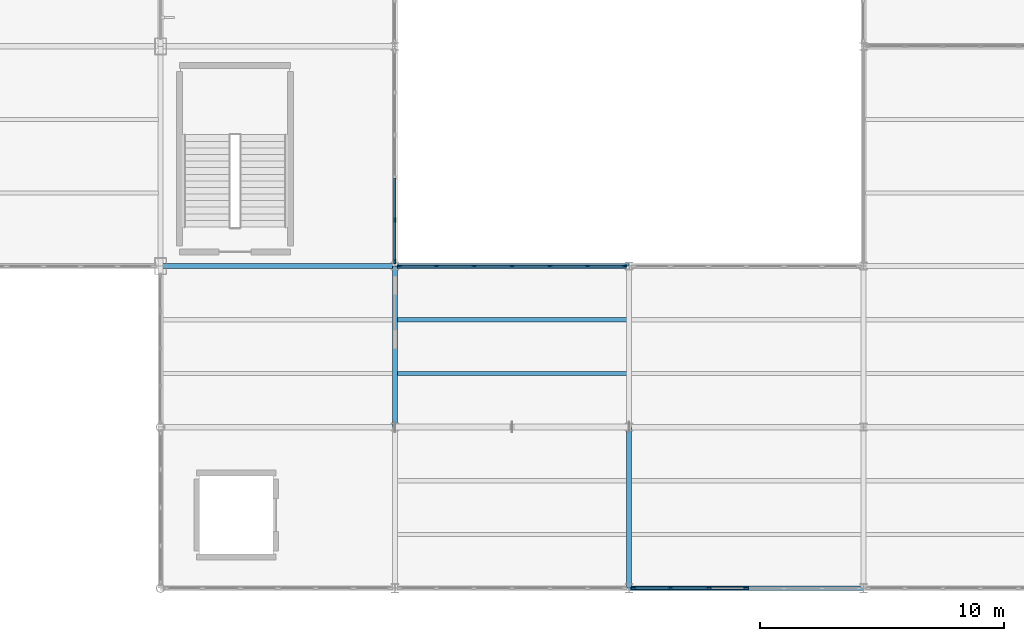
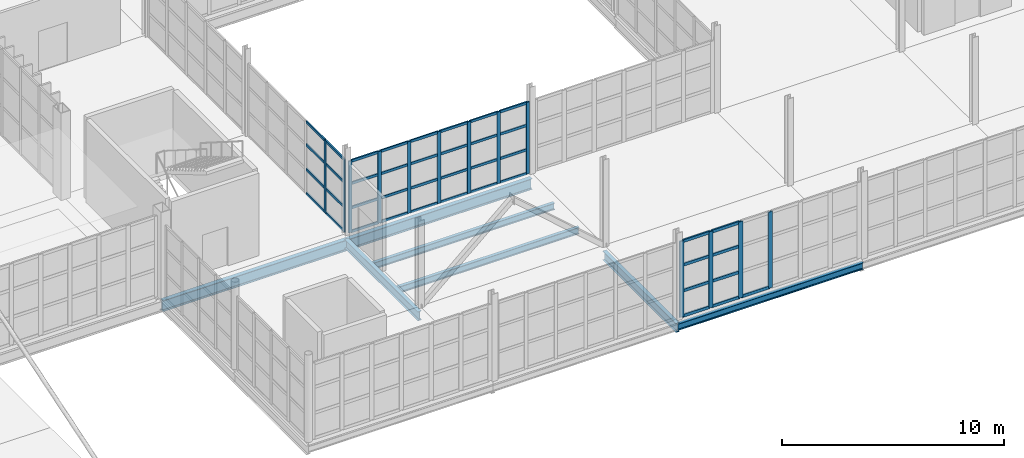
# One storey, part 59 of 120: 54 members, 7 beams, 3 elements without a shape of their own.
"""IFC4 building model written with IfcOpenShell, lengths in metres."""

from ifc_helpers import new_model, si_unit, direction, frame, origin, origin_2d, place, context, subcontext, project, spatial, rectangle, i_section, extrude, material, layer, layer_set, material_profile, profile_set, type_object, element, aggregate, save


model = new_model("IFC4")

# Units and contexts
model_context = context("Model", 3, precision=1e-05, world=origin(), true_north=direction((0.0, 1.0)))
body_context = subcontext(model_context, "Body", "Model", "MODEL_VIEW")
ifc_project = project(units=[si_unit("LENGTHUNIT", "METRE"), si_unit("AREAUNIT", "SQUARE_METRE"), si_unit("VOLUMEUNIT", "CUBIC_METRE"), si_unit("PLANEANGLEUNIT", "RADIAN"), si_unit("MASSUNIT", "GRAM", prefix="KILO")], contexts=[model_context])

# Site, building, storey
site_placement = place(None, origin())
site = spatial("IfcSite", under=ifc_project, at=site_placement, CompositionType="ELEMENT")
building_placement = place(site_placement, origin())
building = spatial("IfcBuilding", under=site, at=building_placement, Name="Zarnetskaya Central Station", CompositionType="ELEMENT")
storey_placement = place(building_placement, frame((0.0, 0.0, 5.39990234375)))
storey = spatial("IfcBuildingStorey", under=building, at=storey_placement, Name="L01", CompositionType="ELEMENT", Elevation=5.39990234375)

# Beams
ifc_material_1 = material(Name="Steel S355", Category="steel")
ifc_material_profile_1 = material_profile(ifc_material_1, i_section(OverallWidth=0.169921875, OverallDepth=0.360107421875, WebThickness=0.008056640625, FlangeThickness=0.0126953125, FilletRadius=0.01806640625, at=origin_2d()), Name="IPE 360")
ifc_profile_set_1 = profile_set([ifc_material_profile_1], Name="Steel S355")
beam_type_1 = type_object("IfcBeamType", Name="BM-SEC-360", PredefinedType="BEAM", material=ifc_profile_set_1)
for number, where, z_axis, x_axis, name in (
    (1, (134.47998046875, 8.800048828125, -0.4599609375), (1.0, 0.0, 0.0), (0.0, 1.0, 0.0), "Secondary floor beam SEC-L01-Z512-QR-23-1"),
    (2, (134.47998046875, 11.0, -0.4599609375), (1.0, 0.0, 0.0), (0.0, 1.0, 0.0), "Secondary floor beam SEC-L01-Z512-QR-23-2"),
):
    element("IfcBeam", number, at=place(storey_placement, frame(where, z_axis=z_axis, x_axis=x_axis)), inside=storey, type_object=beam_type_1, Name=name, PredefinedType="BEAM", context=body_context, shape_type="SweptSolid", body=[
        extrude(i_section(OverallWidth=0.169921875, OverallDepth=0.360107421875, WebThickness=0.008056640625, FlangeThickness=0.0126953125, FilletRadius=0.01806640625, at=origin_2d()), origin(), (0.0, 0.0, 1.0), 9.43994140625),
    ])
ifc_material_profile_2 = material_profile(ifc_material_1, i_section(OverallWidth=0.169921875, OverallDepth=0.360107421875, WebThickness=0.008056640625, FlangeThickness=0.0126953125, FilletRadius=0.01806640625, at=origin_2d()), Name="IPE 360")
ifc_profile_set_2 = profile_set([ifc_material_profile_2], Name="Steel S355")
beam_type_2 = type_object("IfcBeamType", Name="BM-SPN-V4", PredefinedType="SPANDREL", material=ifc_profile_set_2)
beam_1_placement = place(storey_placement, frame((144.0, 0.0, -0.4599609375), z_axis=(1.0, 0.0, 0.0), x_axis=(0.0, 1.0, 0.0)))
element("IfcBeam", 3, at=beam_1_placement, inside=storey, type_object=beam_type_2, Name="Grid girder GX-L01-1-RS", PredefinedType="SPANDREL", context=body_context, shape_type="SweptSolid", body=[
    extrude(i_section(OverallWidth=0.169921875, OverallDepth=0.360107421875, WebThickness=0.008056640625, FlangeThickness=0.0126953125, FilletRadius=0.01806640625, at=origin_2d()), origin(), (0.0, 0.0, 1.0), 9.60009765625),
])

# Curtain wall, members
ifc_material_2 = material(Name="Low-E insulated glass", Category="glass")
ifc_layer = layer(ifc_material_2, 0.159912109375, Name="Low-E insulated glass", Category="glass")
ifc_layer_set = layer_set([ifc_layer], Name="Low-E insulated glass")
curtain_wall_type = type_object("IfcCurtainWallType", Name="CW-SYS-06", PredefinedType="USERDEFINED", material=ifc_layer_set)
curtain_wall_1_placement = place(storey_placement, origin())
curtain_wall_1 = element("IfcCurtainWall", 4, at=curtain_wall_1_placement, inside=storey, type_object=curtain_wall_type, Name="Curtain wall CW-L01-127", ObjectType="CURTAIN WALL", PredefinedType="USERDEFINED")
ifc_material_3 = material(Name="Anodised aluminium", Category="aluminium")
ifc_material_profile_3 = material_profile(ifc_material_3, rectangle(XDim=0.070068359375, YDim=0.179931640625, at=origin_2d()), Name="ALU MULL 70x180")
ifc_profile_set_3 = profile_set([ifc_material_profile_3], Name="Anodised aluminium")
member_type_1 = type_object("IfcMemberType", Name="CW-MULL-180", PredefinedType="MULLION", material=ifc_profile_set_3)
member_1_placement = place(storey_placement, frame((134.5849609375, 13.199951171875, 0.0), z_axis=(0.0, 0.0, 1.0), x_axis=(0.0, 1.0, 0.0)))
member_1 = element("IfcMember", 5, at=member_1_placement, type_object=member_type_1, Name="CW-02 mullion 1", PredefinedType="MULLION", context=body_context, shape_type="SweptSolid", body=[
    extrude(rectangle(XDim=0.070068359375, YDim=0.179931640625, at=origin_2d()), origin(), (0.0, 0.0, 1.0), 3.940185546875),
])
member_2_placement = place(storey_placement, frame((136.10009765625, 13.199951171875, 0.0), z_axis=(0.0, 0.0, 1.0), x_axis=(0.0, 1.0, 0.0)))
member_2 = element("IfcMember", 6, at=member_2_placement, type_object=member_type_1, Name="CW-02 mullion 2", PredefinedType="MULLION", context=body_context, shape_type="SweptSolid", body=[
    extrude(rectangle(XDim=0.070068359375, YDim=0.179931640625, at=origin_2d()), origin(), (0.0, 0.0, 1.0), 3.940185546875),
])
member_3_placement = place(storey_placement, frame((137.64990234375, 13.199951171875, 0.0), z_axis=(0.0, 0.0, 1.0), x_axis=(0.0, 1.0, 0.0)))
member_3 = element("IfcMember", 7, at=member_3_placement, type_object=member_type_1, Name="CW-02 mullion 3", PredefinedType="MULLION", context=body_context, shape_type="SweptSolid", body=[
    extrude(rectangle(XDim=0.070068359375, YDim=0.179931640625, at=origin_2d()), origin(), (0.0, 0.0, 1.0), 3.940185546875),
])
member_4_placement = place(storey_placement, frame((139.199951171875, 13.199951171875, 0.0), z_axis=(0.0, 0.0, 1.0), x_axis=(0.0, 1.0, 0.0)))
member_4 = element("IfcMember", 8, at=member_4_placement, type_object=member_type_1, Name="CW-02 mullion 4", PredefinedType="MULLION", context=body_context, shape_type="SweptSolid", body=[
    extrude(rectangle(XDim=0.070068359375, YDim=0.179931640625, at=origin_2d()), origin(), (0.0, 0.0, 1.0), 3.940185546875),
])
member_5_placement = place(storey_placement, frame((140.75, 13.199951171875, 0.0), z_axis=(0.0, 0.0, 1.0), x_axis=(0.0, 1.0, 0.0)))
member_5 = element("IfcMember", 9, at=member_5_placement, type_object=member_type_1, Name="CW-02 mullion 5", PredefinedType="MULLION", context=body_context, shape_type="SweptSolid", body=[
    extrude(rectangle(XDim=0.070068359375, YDim=0.179931640625, at=origin_2d()), origin(), (0.0, 0.0, 1.0), 3.940185546875),
])
member_6_placement = place(storey_placement, frame((142.300048828125, 13.199951171875, 0.0), z_axis=(0.0, 0.0, 1.0), x_axis=(0.0, 1.0, 0.0)))
member_6 = element("IfcMember", 10, at=member_6_placement, type_object=member_type_1, Name="CW-02 mullion 6", PredefinedType="MULLION", context=body_context, shape_type="SweptSolid", body=[
    extrude(rectangle(XDim=0.070068359375, YDim=0.179931640625, at=origin_2d()), origin(), (0.0, 0.0, 1.0), 3.940185546875),
])
member_7_placement = place(storey_placement, frame((143.81494140625, 13.199951171875, 0.0), z_axis=(0.0, 0.0, 1.0), x_axis=(0.0, 1.0, 0.0)))
member_7 = element("IfcMember", 11, at=member_7_placement, type_object=member_type_1, Name="CW-02 mullion 7", PredefinedType="MULLION", context=body_context, shape_type="SweptSolid", body=[
    extrude(rectangle(XDim=0.070068359375, YDim=0.179931640625, at=origin_2d()), origin(), (0.0, 0.0, 1.0), 3.940185546875),
])

curtain_wall_2_placement = place(storey_placement, origin())
curtain_wall_2 = element("IfcCurtainWall", 12, at=curtain_wall_2_placement, inside=storey, type_object=curtain_wall_type, Name="Curtain wall CW-L01-133", ObjectType="CURTAIN WALL", PredefinedType="USERDEFINED")
member_8_placement = place(storey_placement, frame((134.39990234375, 15.090087890625, 0.0), z_axis=(0.0, 0.0, 1.0), x_axis=(1.0, 0.0, 0.0)))
member_8 = element("IfcMember", 13, at=member_8_placement, type_object=member_type_1, Name="CW-02 mullion 5", PredefinedType="MULLION", context=body_context, shape_type="SweptSolid", body=[
    extrude(rectangle(XDim=0.070068359375, YDim=0.179931640625, at=origin_2d()), origin(), (0.0, 0.0, 1.0), 3.989990234375),
])
member_9_placement = place(storey_placement, frame((134.39990234375, 13.385009765625, 0.0), z_axis=(0.0, 0.0, 1.0), x_axis=(1.0, 0.0, 0.0)))
member_9 = element("IfcMember", 14, at=member_9_placement, type_object=member_type_1, Name="CW-02 mullion 6", PredefinedType="MULLION", context=body_context, shape_type="SweptSolid", body=[
    extrude(rectangle(XDim=0.070068359375, YDim=0.179931640625, at=origin_2d()), origin(), (0.0, 0.0, 1.0), 3.989990234375),
])

curtain_wall_3_placement = place(storey_placement, origin())
curtain_wall_3 = element("IfcCurtainWall", 15, at=curtain_wall_3_placement, inside=storey, type_object=curtain_wall_type, Name="Curtain wall CW-L01-124", ObjectType="CURTAIN WALL", PredefinedType="USERDEFINED")
ifc_material_profile_4 = material_profile(ifc_material_3, rectangle(XDim=0.080078125, YDim=0.219970703125, at=origin_2d()), Name="ALU MULL 80x220")
ifc_profile_set_4 = profile_set([ifc_material_profile_4], Name="Anodised aluminium")
member_type_2 = type_object("IfcMemberType", Name="CW-MULL-220", PredefinedType="MULLION", material=ifc_profile_set_4)
member_10_placement = place(storey_placement, frame((148.800048828125, 0.0, 0.0), z_axis=(0.0, 0.0, 1.0), x_axis=(0.0, -1.0, 0.0)))
member_10 = element("IfcMember", 16, at=member_10_placement, type_object=member_type_2, Name="CW-02 mullion 4", PredefinedType="MULLION", context=body_context, shape_type="SweptSolid", body=[
    extrude(rectangle(XDim=0.080078125, YDim=0.219970703125, at=origin_2d()), origin(), (0.0, 0.0, 1.0), 4.18017578125),
])
member_11_placement = place(storey_placement, frame((147.25, 0.0, 0.0), z_axis=(0.0, 0.0, 1.0), x_axis=(0.0, -1.0, 0.0)))
member_11 = element("IfcMember", 17, at=member_11_placement, type_object=member_type_2, Name="CW-02 mullion 5", PredefinedType="MULLION", context=body_context, shape_type="SweptSolid", body=[
    extrude(rectangle(XDim=0.080078125, YDim=0.219970703125, at=origin_2d()), origin(), (0.0, 0.0, 1.0), 4.18017578125),
])
member_12_placement = place(storey_placement, frame((145.699951171875, 0.0, 0.0), z_axis=(0.0, 0.0, 1.0), x_axis=(0.0, -1.0, 0.0)))
member_12 = element("IfcMember", 18, at=member_12_placement, type_object=member_type_2, Name="CW-02 mullion 6", PredefinedType="MULLION", context=body_context, shape_type="SweptSolid", body=[
    extrude(rectangle(XDim=0.080078125, YDim=0.219970703125, at=origin_2d()), origin(), (0.0, 0.0, 1.0), 4.18017578125),
])
member_13_placement = place(storey_placement, frame((144.18994140625, 0.0, 0.0), z_axis=(0.0, 0.0, 1.0), x_axis=(0.0, -1.0, 0.0)))
member_13 = element("IfcMember", 19, at=member_13_placement, type_object=member_type_2, Name="CW-02 mullion 7", PredefinedType="MULLION", context=body_context, shape_type="SweptSolid", body=[
    extrude(rectangle(XDim=0.080078125, YDim=0.219970703125, at=origin_2d()), origin(), (0.0, 0.0, 1.0), 4.18017578125),
])

# Member
ifc_material_profile_5 = material_profile(ifc_material_3, rectangle(XDim=0.070068359375, YDim=0.139892578125, at=origin_2d()), Name="ALU TRAN 70x140")
ifc_profile_set_5 = profile_set([ifc_material_profile_5], Name="Anodised aluminium")
member_type_3 = type_object("IfcMemberType", Name="CW-TRAN-140", PredefinedType="USERDEFINED", material=ifc_profile_set_5)
member_14_placement = place(storey_placement, frame((134.6201171875, 13.199951171875, 0.03515625), z_axis=(1.0, 0.0, 0.0), x_axis=(0.0, 1.0, 0.0)))
member_14 = element("IfcMember", 20, at=member_14_placement, type_object=member_type_3, Name="CW-02 transom 1.1", ObjectType="TRANSOM", PredefinedType="USERDEFINED", context=body_context, shape_type="SweptSolid", body=[
    extrude(rectangle(XDim=0.070068359375, YDim=0.139892578125, at=origin_2d()), origin(), (0.0, 0.0, 1.0), 1.44482421875),
])

member_15_placement = place(storey_placement, frame((134.6201171875, 13.199951171875, 1.340087890625), z_axis=(1.0, 0.0, 0.0), x_axis=(0.0, 1.0, 0.0)))
member_15 = element("IfcMember", 21, at=member_15_placement, type_object=member_type_3, Name="CW-02 transom 1.2", ObjectType="TRANSOM", PredefinedType="USERDEFINED", context=body_context, shape_type="SweptSolid", body=[
    extrude(rectangle(XDim=0.070068359375, YDim=0.139892578125, at=origin_2d()), origin(), (0.0, 0.0, 1.0), 1.44482421875),
])

member_16_placement = place(storey_placement, frame((134.6201171875, 13.199951171875, 2.67919921875), z_axis=(1.0, 0.0, 0.0), x_axis=(0.0, 1.0, 0.0)))
member_16 = element("IfcMember", 22, at=member_16_placement, type_object=member_type_3, Name="CW-02 transom 1.3", ObjectType="TRANSOM", PredefinedType="USERDEFINED", context=body_context, shape_type="SweptSolid", body=[
    extrude(rectangle(XDim=0.070068359375, YDim=0.139892578125, at=origin_2d()), origin(), (0.0, 0.0, 1.0), 1.44482421875),
])

member_17_placement = place(storey_placement, frame((134.6201171875, 13.199951171875, 3.905029296875), z_axis=(1.0, 0.0, 0.0), x_axis=(0.0, 1.0, 0.0)))
member_17 = element("IfcMember", 23, at=member_17_placement, type_object=member_type_3, Name="CW-02 transom 1.4", ObjectType="TRANSOM", PredefinedType="USERDEFINED", context=body_context, shape_type="SweptSolid", body=[
    extrude(rectangle(XDim=0.070068359375, YDim=0.139892578125, at=origin_2d()), origin(), (0.0, 0.0, 1.0), 1.44482421875),
])

member_18_placement = place(storey_placement, frame((136.135009765625, 13.199951171875, 0.03515625), z_axis=(1.0, 0.0, 0.0), x_axis=(0.0, 1.0, 0.0)))
member_18 = element("IfcMember", 24, at=member_18_placement, type_object=member_type_3, Name="CW-02 transom 2.1", ObjectType="TRANSOM", PredefinedType="USERDEFINED", context=body_context, shape_type="SweptSolid", body=[
    extrude(rectangle(XDim=0.070068359375, YDim=0.139892578125, at=origin_2d()), origin(), (0.0, 0.0, 1.0), 1.47998046875),
])

member_19_placement = place(storey_placement, frame((136.135009765625, 13.199951171875, 1.340087890625), z_axis=(1.0, 0.0, 0.0), x_axis=(0.0, 1.0, 0.0)))
member_19 = element("IfcMember", 25, at=member_19_placement, type_object=member_type_3, Name="CW-02 transom 2.2", ObjectType="TRANSOM", PredefinedType="USERDEFINED", context=body_context, shape_type="SweptSolid", body=[
    extrude(rectangle(XDim=0.070068359375, YDim=0.139892578125, at=origin_2d()), origin(), (0.0, 0.0, 1.0), 1.47998046875),
])

member_20_placement = place(storey_placement, frame((136.135009765625, 13.199951171875, 2.67919921875), z_axis=(1.0, 0.0, 0.0), x_axis=(0.0, 1.0, 0.0)))
member_20 = element("IfcMember", 26, at=member_20_placement, type_object=member_type_3, Name="CW-02 transom 2.3", ObjectType="TRANSOM", PredefinedType="USERDEFINED", context=body_context, shape_type="SweptSolid", body=[
    extrude(rectangle(XDim=0.070068359375, YDim=0.139892578125, at=origin_2d()), origin(), (0.0, 0.0, 1.0), 1.47998046875),
])

member_21_placement = place(storey_placement, frame((136.135009765625, 13.199951171875, 3.905029296875), z_axis=(1.0, 0.0, 0.0), x_axis=(0.0, 1.0, 0.0)))
member_21 = element("IfcMember", 27, at=member_21_placement, type_object=member_type_3, Name="CW-02 transom 2.4", ObjectType="TRANSOM", PredefinedType="USERDEFINED", context=body_context, shape_type="SweptSolid", body=[
    extrude(rectangle(XDim=0.070068359375, YDim=0.139892578125, at=origin_2d()), origin(), (0.0, 0.0, 1.0), 1.47998046875),
])

member_22_placement = place(storey_placement, frame((137.68505859375, 13.199951171875, 0.03515625), z_axis=(1.0, 0.0, 0.0), x_axis=(0.0, 1.0, 0.0)))
member_22 = element("IfcMember", 28, at=member_22_placement, type_object=member_type_3, Name="CW-02 transom 3.1", ObjectType="TRANSOM", PredefinedType="USERDEFINED", context=body_context, shape_type="SweptSolid", body=[
    extrude(rectangle(XDim=0.070068359375, YDim=0.139892578125, at=origin_2d()), origin(), (0.0, 0.0, 1.0), 1.47998046875),
])

member_23_placement = place(storey_placement, frame((137.68505859375, 13.199951171875, 1.340087890625), z_axis=(1.0, 0.0, 0.0), x_axis=(0.0, 1.0, 0.0)))
member_23 = element("IfcMember", 29, at=member_23_placement, type_object=member_type_3, Name="CW-02 transom 3.2", ObjectType="TRANSOM", PredefinedType="USERDEFINED", context=body_context, shape_type="SweptSolid", body=[
    extrude(rectangle(XDim=0.070068359375, YDim=0.139892578125, at=origin_2d()), origin(), (0.0, 0.0, 1.0), 1.47998046875),
])

member_24_placement = place(storey_placement, frame((137.68505859375, 13.199951171875, 2.67919921875), z_axis=(1.0, 0.0, 0.0), x_axis=(0.0, 1.0, 0.0)))
member_24 = element("IfcMember", 30, at=member_24_placement, type_object=member_type_3, Name="CW-02 transom 3.3", ObjectType="TRANSOM", PredefinedType="USERDEFINED", context=body_context, shape_type="SweptSolid", body=[
    extrude(rectangle(XDim=0.070068359375, YDim=0.139892578125, at=origin_2d()), origin(), (0.0, 0.0, 1.0), 1.47998046875),
])

member_25_placement = place(storey_placement, frame((137.68505859375, 13.199951171875, 3.905029296875), z_axis=(1.0, 0.0, 0.0), x_axis=(0.0, 1.0, 0.0)))
member_25 = element("IfcMember", 31, at=member_25_placement, type_object=member_type_3, Name="CW-02 transom 3.4", ObjectType="TRANSOM", PredefinedType="USERDEFINED", context=body_context, shape_type="SweptSolid", body=[
    extrude(rectangle(XDim=0.070068359375, YDim=0.139892578125, at=origin_2d()), origin(), (0.0, 0.0, 1.0), 1.47998046875),
])

member_26_placement = place(storey_placement, frame((139.235107421875, 13.199951171875, 0.03515625), z_axis=(1.0, 0.0, 0.0), x_axis=(0.0, 1.0, 0.0)))
member_26 = element("IfcMember", 32, at=member_26_placement, type_object=member_type_3, Name="CW-02 transom 4.1", ObjectType="TRANSOM", PredefinedType="USERDEFINED", context=body_context, shape_type="SweptSolid", body=[
    extrude(rectangle(XDim=0.070068359375, YDim=0.139892578125, at=origin_2d()), origin(), (0.0, 0.0, 1.0), 1.47998046875),
])

member_27_placement = place(storey_placement, frame((139.235107421875, 13.199951171875, 1.340087890625), z_axis=(1.0, 0.0, 0.0), x_axis=(0.0, 1.0, 0.0)))
member_27 = element("IfcMember", 33, at=member_27_placement, type_object=member_type_3, Name="CW-02 transom 4.2", ObjectType="TRANSOM", PredefinedType="USERDEFINED", context=body_context, shape_type="SweptSolid", body=[
    extrude(rectangle(XDim=0.070068359375, YDim=0.139892578125, at=origin_2d()), origin(), (0.0, 0.0, 1.0), 1.47998046875),
])

member_28_placement = place(storey_placement, frame((139.235107421875, 13.199951171875, 2.67919921875), z_axis=(1.0, 0.0, 0.0), x_axis=(0.0, 1.0, 0.0)))
member_28 = element("IfcMember", 34, at=member_28_placement, type_object=member_type_3, Name="CW-02 transom 4.3", ObjectType="TRANSOM", PredefinedType="USERDEFINED", context=body_context, shape_type="SweptSolid", body=[
    extrude(rectangle(XDim=0.070068359375, YDim=0.139892578125, at=origin_2d()), origin(), (0.0, 0.0, 1.0), 1.47998046875),
])

member_29_placement = place(storey_placement, frame((139.235107421875, 13.199951171875, 3.905029296875), z_axis=(1.0, 0.0, 0.0), x_axis=(0.0, 1.0, 0.0)))
member_29 = element("IfcMember", 35, at=member_29_placement, type_object=member_type_3, Name="CW-02 transom 4.4", ObjectType="TRANSOM", PredefinedType="USERDEFINED", context=body_context, shape_type="SweptSolid", body=[
    extrude(rectangle(XDim=0.070068359375, YDim=0.139892578125, at=origin_2d()), origin(), (0.0, 0.0, 1.0), 1.47998046875),
])

member_30_placement = place(storey_placement, frame((140.784912109375, 13.199951171875, 0.03515625), z_axis=(1.0, 0.0, 0.0), x_axis=(0.0, 1.0, 0.0)))
member_30 = element("IfcMember", 36, at=member_30_placement, type_object=member_type_3, Name="CW-02 transom 5.1", ObjectType="TRANSOM", PredefinedType="USERDEFINED", context=body_context, shape_type="SweptSolid", body=[
    extrude(rectangle(XDim=0.070068359375, YDim=0.139892578125, at=origin_2d()), origin(), (0.0, 0.0, 1.0), 1.47998046875),
])

member_31_placement = place(storey_placement, frame((140.784912109375, 13.199951171875, 1.340087890625), z_axis=(1.0, 0.0, 0.0), x_axis=(0.0, 1.0, 0.0)))
member_31 = element("IfcMember", 37, at=member_31_placement, type_object=member_type_3, Name="CW-02 transom 5.2", ObjectType="TRANSOM", PredefinedType="USERDEFINED", context=body_context, shape_type="SweptSolid", body=[
    extrude(rectangle(XDim=0.070068359375, YDim=0.139892578125, at=origin_2d()), origin(), (0.0, 0.0, 1.0), 1.47998046875),
])

member_32_placement = place(storey_placement, frame((140.784912109375, 13.199951171875, 2.67919921875), z_axis=(1.0, 0.0, 0.0), x_axis=(0.0, 1.0, 0.0)))
member_32 = element("IfcMember", 38, at=member_32_placement, type_object=member_type_3, Name="CW-02 transom 5.3", ObjectType="TRANSOM", PredefinedType="USERDEFINED", context=body_context, shape_type="SweptSolid", body=[
    extrude(rectangle(XDim=0.070068359375, YDim=0.139892578125, at=origin_2d()), origin(), (0.0, 0.0, 1.0), 1.47998046875),
])

member_33_placement = place(storey_placement, frame((140.784912109375, 13.199951171875, 3.905029296875), z_axis=(1.0, 0.0, 0.0), x_axis=(0.0, 1.0, 0.0)))
member_33 = element("IfcMember", 39, at=member_33_placement, type_object=member_type_3, Name="CW-02 transom 5.4", ObjectType="TRANSOM", PredefinedType="USERDEFINED", context=body_context, shape_type="SweptSolid", body=[
    extrude(rectangle(XDim=0.070068359375, YDim=0.139892578125, at=origin_2d()), origin(), (0.0, 0.0, 1.0), 1.47998046875),
])

member_34_placement = place(storey_placement, frame((142.3349609375, 13.199951171875, 0.03515625), z_axis=(1.0, 0.0, 0.0), x_axis=(0.0, 1.0, 0.0)))
member_34 = element("IfcMember", 40, at=member_34_placement, type_object=member_type_3, Name="CW-02 transom 6.1", ObjectType="TRANSOM", PredefinedType="USERDEFINED", context=body_context, shape_type="SweptSolid", body=[
    extrude(rectangle(XDim=0.070068359375, YDim=0.139892578125, at=origin_2d()), origin(), (0.0, 0.0, 1.0), 1.445068359375),
])

member_35_placement = place(storey_placement, frame((142.3349609375, 13.199951171875, 1.340087890625), z_axis=(1.0, 0.0, 0.0), x_axis=(0.0, 1.0, 0.0)))
member_35 = element("IfcMember", 41, at=member_35_placement, type_object=member_type_3, Name="CW-02 transom 6.2", ObjectType="TRANSOM", PredefinedType="USERDEFINED", context=body_context, shape_type="SweptSolid", body=[
    extrude(rectangle(XDim=0.070068359375, YDim=0.139892578125, at=origin_2d()), origin(), (0.0, 0.0, 1.0), 1.445068359375),
])

member_36_placement = place(storey_placement, frame((142.3349609375, 13.199951171875, 2.67919921875), z_axis=(1.0, 0.0, 0.0), x_axis=(0.0, 1.0, 0.0)))
member_36 = element("IfcMember", 42, at=member_36_placement, type_object=member_type_3, Name="CW-02 transom 6.3", ObjectType="TRANSOM", PredefinedType="USERDEFINED", context=body_context, shape_type="SweptSolid", body=[
    extrude(rectangle(XDim=0.070068359375, YDim=0.139892578125, at=origin_2d()), origin(), (0.0, 0.0, 1.0), 1.445068359375),
])

member_37_placement = place(storey_placement, frame((142.3349609375, 13.199951171875, 3.905029296875), z_axis=(1.0, 0.0, 0.0), x_axis=(0.0, 1.0, 0.0)))
member_37 = element("IfcMember", 43, at=member_37_placement, type_object=member_type_3, Name="CW-02 transom 6.4", ObjectType="TRANSOM", PredefinedType="USERDEFINED", context=body_context, shape_type="SweptSolid", body=[
    extrude(rectangle(XDim=0.070068359375, YDim=0.139892578125, at=origin_2d()), origin(), (0.0, 0.0, 1.0), 1.445068359375),
])

aggregate(curtain_wall_1, [member_1, member_2, member_3, member_4, member_5, member_6, member_7, member_14, member_15, member_16, member_17, member_18, member_19, member_20, member_21, member_22, member_23, member_24, member_25, member_26, member_27, member_28, member_29, member_30, member_31, member_32, member_33, member_34, member_35, member_36, member_37])

member_38_placement = place(storey_placement, frame((134.39990234375, 16.794921875, 0.03515625), z_axis=(0.0, -1.0, 0.0), x_axis=(1.0, 0.0, 0.0)))
member_38 = element("IfcMember", 44, at=member_38_placement, type_object=member_type_3, Name="CW-02 transom 4.1", ObjectType="TRANSOM", PredefinedType="USERDEFINED", context=body_context, shape_type="SweptSolid", body=[
    extrude(rectangle(XDim=0.070068359375, YDim=0.139892578125, at=origin_2d()), origin(), (0.0, 0.0, 1.0), 1.669921875),
])

member_39_placement = place(storey_placement, frame((134.39990234375, 16.794921875, 1.357177734375), z_axis=(0.0, -1.0, 0.0), x_axis=(1.0, 0.0, 0.0)))
member_39 = element("IfcMember", 45, at=member_39_placement, type_object=member_type_3, Name="CW-02 transom 4.2", ObjectType="TRANSOM", PredefinedType="USERDEFINED", context=body_context, shape_type="SweptSolid", body=[
    extrude(rectangle(XDim=0.070068359375, YDim=0.139892578125, at=origin_2d()), origin(), (0.0, 0.0, 1.0), 1.669921875),
])

member_40_placement = place(storey_placement, frame((134.39990234375, 16.794921875, 2.713134765625), z_axis=(0.0, -1.0, 0.0), x_axis=(1.0, 0.0, 0.0)))
member_40 = element("IfcMember", 46, at=member_40_placement, type_object=member_type_3, Name="CW-02 transom 4.3", ObjectType="TRANSOM", PredefinedType="USERDEFINED", context=body_context, shape_type="SweptSolid", body=[
    extrude(rectangle(XDim=0.070068359375, YDim=0.139892578125, at=origin_2d()), origin(), (0.0, 0.0, 1.0), 1.669921875),
])

member_41_placement = place(storey_placement, frame((134.39990234375, 16.794921875, 3.955078125), z_axis=(0.0, -1.0, 0.0), x_axis=(1.0, 0.0, 0.0)))
member_41 = element("IfcMember", 47, at=member_41_placement, type_object=member_type_3, Name="CW-02 transom 4.4", ObjectType="TRANSOM", PredefinedType="USERDEFINED", context=body_context, shape_type="SweptSolid", body=[
    extrude(rectangle(XDim=0.070068359375, YDim=0.139892578125, at=origin_2d()), origin(), (0.0, 0.0, 1.0), 1.669921875),
])

member_42_placement = place(storey_placement, frame((134.39990234375, 15.054931640625, 0.03515625), z_axis=(0.0, -1.0, 0.0), x_axis=(1.0, 0.0, 0.0)))
member_42 = element("IfcMember", 48, at=member_42_placement, type_object=member_type_3, Name="CW-02 transom 5.1", ObjectType="TRANSOM", PredefinedType="USERDEFINED", context=body_context, shape_type="SweptSolid", body=[
    extrude(rectangle(XDim=0.070068359375, YDim=0.139892578125, at=origin_2d()), origin(), (0.0, 0.0, 1.0), 1.635009765625),
])

member_43_placement = place(storey_placement, frame((134.39990234375, 15.054931640625, 1.357177734375), z_axis=(0.0, -1.0, 0.0), x_axis=(1.0, 0.0, 0.0)))
member_43 = element("IfcMember", 49, at=member_43_placement, type_object=member_type_3, Name="CW-02 transom 5.2", ObjectType="TRANSOM", PredefinedType="USERDEFINED", context=body_context, shape_type="SweptSolid", body=[
    extrude(rectangle(XDim=0.070068359375, YDim=0.139892578125, at=origin_2d()), origin(), (0.0, 0.0, 1.0), 1.635009765625),
])

member_44_placement = place(storey_placement, frame((134.39990234375, 15.054931640625, 2.713134765625), z_axis=(0.0, -1.0, 0.0), x_axis=(1.0, 0.0, 0.0)))
member_44 = element("IfcMember", 50, at=member_44_placement, type_object=member_type_3, Name="CW-02 transom 5.3", ObjectType="TRANSOM", PredefinedType="USERDEFINED", context=body_context, shape_type="SweptSolid", body=[
    extrude(rectangle(XDim=0.070068359375, YDim=0.139892578125, at=origin_2d()), origin(), (0.0, 0.0, 1.0), 1.635009765625),
])

member_45_placement = place(storey_placement, frame((134.39990234375, 15.054931640625, 3.955078125), z_axis=(0.0, -1.0, 0.0), x_axis=(1.0, 0.0, 0.0)))
member_45 = element("IfcMember", 51, at=member_45_placement, type_object=member_type_3, Name="CW-02 transom 5.4", ObjectType="TRANSOM", PredefinedType="USERDEFINED", context=body_context, shape_type="SweptSolid", body=[
    extrude(rectangle(XDim=0.070068359375, YDim=0.139892578125, at=origin_2d()), origin(), (0.0, 0.0, 1.0), 1.635009765625),
])

aggregate(curtain_wall_2, [member_8, member_9, member_38, member_39, member_40, member_41, member_42, member_43, member_44, member_45])

ifc_material_profile_6 = material_profile(ifc_material_3, rectangle(XDim=0.080078125, YDim=0.159912109375, at=origin_2d()), Name="ALU TRAN 80x160")
ifc_profile_set_6 = profile_set([ifc_material_profile_6], Name="Anodised aluminium")
member_type_4 = type_object("IfcMemberType", Name="CW-TRAN-160", PredefinedType="USERDEFINED", material=ifc_profile_set_6)
member_46_placement = place(storey_placement, frame((148.760009765625, 0.0, 0.0400390625), z_axis=(-1.0, 0.0, 0.0), x_axis=(0.0, -1.0, 0.0)))
member_46 = element("IfcMember", 52, at=member_46_placement, type_object=member_type_4, Name="CW-02 transom 4.1", ObjectType="TRANSOM", PredefinedType="USERDEFINED", context=body_context, shape_type="SweptSolid", body=[
    extrude(rectangle(XDim=0.080078125, YDim=0.159912109375, at=origin_2d()), origin(), (0.0, 0.0, 1.0), 1.469970703125),
])

member_47_placement = place(storey_placement, frame((147.2099609375, 0.0, 0.0400390625), z_axis=(-1.0, 0.0, 0.0), x_axis=(0.0, -1.0, 0.0)))
member_47 = element("IfcMember", 53, at=member_47_placement, type_object=member_type_4, Name="CW-02 transom 5.1", ObjectType="TRANSOM", PredefinedType="USERDEFINED", context=body_context, shape_type="SweptSolid", body=[
    extrude(rectangle(XDim=0.080078125, YDim=0.159912109375, at=origin_2d()), origin(), (0.0, 0.0, 1.0), 1.469970703125),
])

member_48_placement = place(storey_placement, frame((147.2099609375, 0.0, 1.421142578125), z_axis=(-1.0, 0.0, 0.0), x_axis=(0.0, -1.0, 0.0)))
member_48 = element("IfcMember", 54, at=member_48_placement, type_object=member_type_4, Name="CW-02 transom 5.2", ObjectType="TRANSOM", PredefinedType="USERDEFINED", context=body_context, shape_type="SweptSolid", body=[
    extrude(rectangle(XDim=0.080078125, YDim=0.159912109375, at=origin_2d()), origin(), (0.0, 0.0, 1.0), 1.469970703125),
])

member_49_placement = place(storey_placement, frame((147.2099609375, 0.0, 2.842041015625), z_axis=(-1.0, 0.0, 0.0), x_axis=(0.0, -1.0, 0.0)))
member_49 = element("IfcMember", 55, at=member_49_placement, type_object=member_type_4, Name="CW-02 transom 5.3", ObjectType="TRANSOM", PredefinedType="USERDEFINED", context=body_context, shape_type="SweptSolid", body=[
    extrude(rectangle(XDim=0.080078125, YDim=0.159912109375, at=origin_2d()), origin(), (0.0, 0.0, 1.0), 1.469970703125),
])

member_50_placement = place(storey_placement, frame((147.2099609375, 0.0, 4.14013671875), z_axis=(-1.0, 0.0, 0.0), x_axis=(0.0, -1.0, 0.0)))
member_50 = element("IfcMember", 56, at=member_50_placement, type_object=member_type_4, Name="CW-02 transom 5.4", ObjectType="TRANSOM", PredefinedType="USERDEFINED", context=body_context, shape_type="SweptSolid", body=[
    extrude(rectangle(XDim=0.080078125, YDim=0.159912109375, at=origin_2d()), origin(), (0.0, 0.0, 1.0), 1.469970703125),
])

member_51_placement = place(storey_placement, frame((145.659912109375, 0.0, 0.0400390625), z_axis=(-1.0, 0.0, 0.0), x_axis=(0.0, -1.0, 0.0)))
member_51 = element("IfcMember", 57, at=member_51_placement, type_object=member_type_4, Name="CW-02 transom 6.1", ObjectType="TRANSOM", PredefinedType="USERDEFINED", context=body_context, shape_type="SweptSolid", body=[
    extrude(rectangle(XDim=0.080078125, YDim=0.159912109375, at=origin_2d()), origin(), (0.0, 0.0, 1.0), 1.429931640625),
])

member_52_placement = place(storey_placement, frame((145.659912109375, 0.0, 1.421142578125), z_axis=(-1.0, 0.0, 0.0), x_axis=(0.0, -1.0, 0.0)))
member_52 = element("IfcMember", 58, at=member_52_placement, type_object=member_type_4, Name="CW-02 transom 6.2", ObjectType="TRANSOM", PredefinedType="USERDEFINED", context=body_context, shape_type="SweptSolid", body=[
    extrude(rectangle(XDim=0.080078125, YDim=0.159912109375, at=origin_2d()), origin(), (0.0, 0.0, 1.0), 1.429931640625),
])

member_53_placement = place(storey_placement, frame((145.659912109375, 0.0, 2.842041015625), z_axis=(-1.0, 0.0, 0.0), x_axis=(0.0, -1.0, 0.0)))
member_53 = element("IfcMember", 59, at=member_53_placement, type_object=member_type_4, Name="CW-02 transom 6.3", ObjectType="TRANSOM", PredefinedType="USERDEFINED", context=body_context, shape_type="SweptSolid", body=[
    extrude(rectangle(XDim=0.080078125, YDim=0.159912109375, at=origin_2d()), origin(), (0.0, 0.0, 1.0), 1.429931640625),
])

member_54_placement = place(storey_placement, frame((145.659912109375, 0.0, 4.14013671875), z_axis=(-1.0, 0.0, 0.0), x_axis=(0.0, -1.0, 0.0)))
member_54 = element("IfcMember", 60, at=member_54_placement, type_object=member_type_4, Name="CW-02 transom 6.4", ObjectType="TRANSOM", PredefinedType="USERDEFINED", context=body_context, shape_type="SweptSolid", body=[
    extrude(rectangle(XDim=0.080078125, YDim=0.159912109375, at=origin_2d()), origin(), (0.0, 0.0, 1.0), 1.429931640625),
])

aggregate(curtain_wall_3, [member_10, member_11, member_12, member_13, member_46, member_47, member_48, member_49, member_50, member_51, member_52, member_53, member_54])

# Beams
ifc_material_profile_7 = material_profile(ifc_material_1, i_section(OverallWidth=0.199951171875, OverallDepth=0.5, WebThickness=0.01025390625, FlangeThickness=0.01611328125, FilletRadius=0.02099609375, at=origin_2d()), Name="IPE 500")
ifc_profile_set_7 = profile_set([ifc_material_profile_7], Name="Steel S355")
beam_type_3 = type_object("IfcBeamType", Name="GD-FLR-500", PredefinedType="USERDEFINED", material=ifc_profile_set_7)
beam_2_placement = place(storey_placement, frame((134.39990234375, 6.60009765625, -0.52978515625), z_axis=(0.0, 1.0, 0.0), x_axis=(-1.0, 0.0, 0.0)))
element("IfcBeam", 61, at=beam_2_placement, inside=storey, type_object=beam_type_3, Name="Grid girder GY-L01-Q-23", ObjectType="GIRDER", PredefinedType="USERDEFINED", context=body_context, shape_type="SweptSolid", body=[
    extrude(i_section(OverallWidth=0.199951171875, OverallDepth=0.5, WebThickness=0.01025390625, FlangeThickness=0.01611328125, FilletRadius=0.02099609375, at=origin_2d()), origin(), (0.0, 0.0, 1.0), 6.599853515625),
])
beam_3_placement = place(storey_placement, frame((144.0, 0.0, -0.52978515625), z_axis=(0.0, 1.0, 0.0), x_axis=(-1.0, 0.0, 0.0)))
element("IfcBeam", 62, at=beam_3_placement, inside=storey, type_object=beam_type_3, Name="Grid girder GY-L01-R-12", ObjectType="GIRDER", PredefinedType="USERDEFINED", context=body_context, shape_type="SweptSolid", body=[
    extrude(i_section(OverallWidth=0.199951171875, OverallDepth=0.5, WebThickness=0.01025390625, FlangeThickness=0.01611328125, FilletRadius=0.02099609375, at=origin_2d()), origin(), (0.0, 0.0, 1.0), 6.60009765625),
])
ifc_material_profile_8 = material_profile(ifc_material_1, i_section(OverallWidth=0.219970703125, OverallDepth=0.60009765625, WebThickness=0.011962890625, FlangeThickness=0.01904296875, FilletRadius=0.02392578125, at=origin_2d()), Name="IPE 600")
ifc_profile_set_8 = profile_set([ifc_material_profile_8], Name="Steel S355")
beam_type_4 = type_object("IfcBeamType", Name="GD-FLR-600", PredefinedType="USERDEFINED", material=ifc_profile_set_8)
beam_4_placement = place(storey_placement, frame((124.800048828125, 13.199951171875, -0.579833984375), z_axis=(1.0, 0.0, 0.0), x_axis=(0.0, 1.0, 0.0)))
element("IfcBeam", 63, at=beam_4_placement, inside=storey, type_object=beam_type_4, Name="Grid girder GX-L01-3-PQ", ObjectType="GIRDER", PredefinedType="USERDEFINED", context=body_context, shape_type="SweptSolid", body=[
    extrude(i_section(OverallWidth=0.219970703125, OverallDepth=0.60009765625, WebThickness=0.011962890625, FlangeThickness=0.01904296875, FilletRadius=0.02392578125, at=origin_2d()), origin(), (0.0, 0.0, 1.0), 9.599853515625),
])
beam_5_placement = place(storey_placement, frame((134.39990234375, 13.199951171875, -0.579833984375), z_axis=(1.0, 0.0, 0.0), x_axis=(0.0, 1.0, 0.0)))
element("IfcBeam", 64, at=beam_5_placement, inside=storey, type_object=beam_type_4, Name="Grid girder GX-L01-3-QR", ObjectType="GIRDER", PredefinedType="USERDEFINED", context=body_context, shape_type="SweptSolid", body=[
    extrude(i_section(OverallWidth=0.219970703125, OverallDepth=0.60009765625, WebThickness=0.011962890625, FlangeThickness=0.01904296875, FilletRadius=0.02392578125, at=origin_2d()), origin(), (0.0, 0.0, 1.0), 9.60009765625),
])

save(model, "model.ifc")
